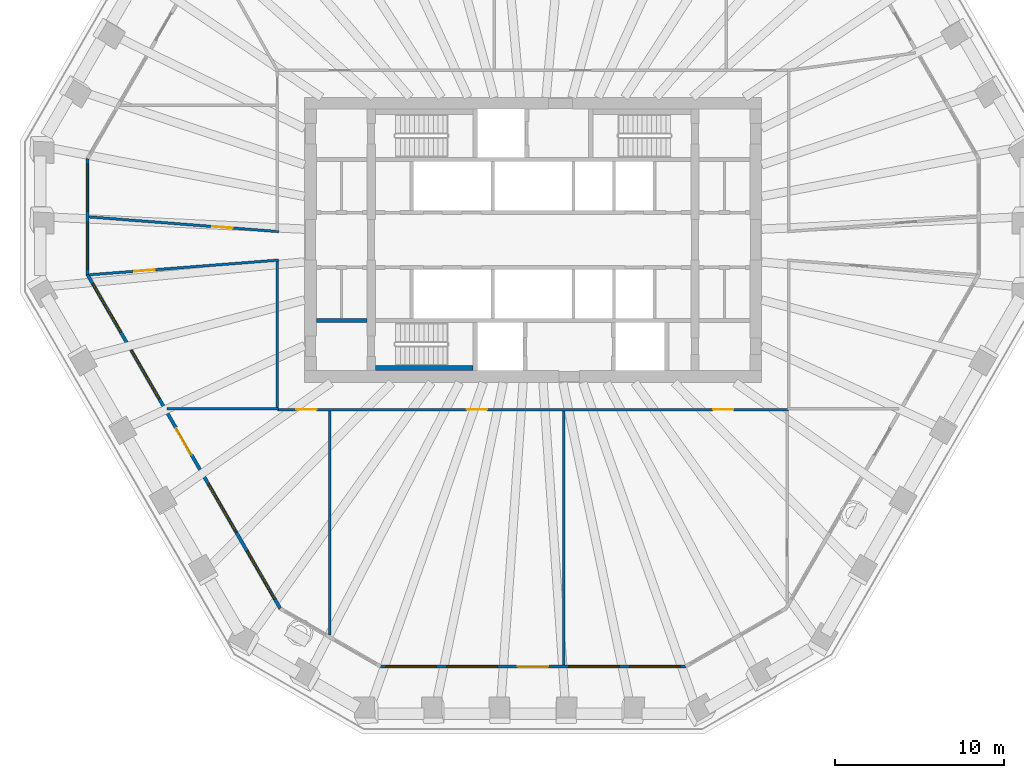
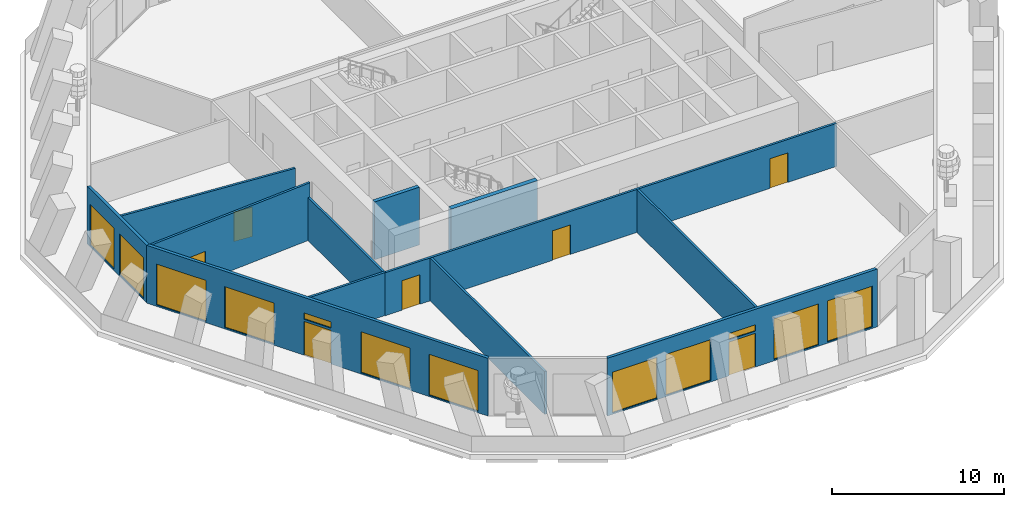
# One storey, part 3 of 11: 12 walls, 12 windows, 7 doors, 19 openings.
"""IFC4 building model written with IfcOpenShell, lengths in metres."""

from ifc_helpers import new_model, si_unit, direction, frame, frame_2d, origin, place, context, subcontext, project, spatial, polyline, rectangle, outline, extrude, material, layer, layer_set, type_object, element, fill, save


model = new_model("IFC4")

# Units and contexts
model_context = context("Model", 3, precision=1e-05, world=origin(), true_north=direction((0.0, 1.0)))
body_context = subcontext(model_context, "Body", "Model", "MODEL_VIEW")
ifc_project = project(units=[si_unit("LENGTHUNIT", "METRE"), si_unit("AREAUNIT", "SQUARE_METRE"), si_unit("VOLUMEUNIT", "CUBIC_METRE"), si_unit("PLANEANGLEUNIT", "RADIAN"), si_unit("MASSUNIT", "GRAM", prefix="KILO")], contexts=[model_context])

# Site, building, storey
site_placement = place(None, origin())
site = spatial("IfcSite", under=ifc_project, at=site_placement, CompositionType="ELEMENT")
building_placement = place(site_placement, origin())
building = spatial("IfcBuilding", under=site, at=building_placement, Name="Frailejon Research Tower", CompositionType="ELEMENT")
storey_placement = place(building_placement, frame((0.0, 0.0, 198.0)))
storey = spatial("IfcBuildingStorey", under=building, at=storey_placement, Name="L43", CompositionType="ELEMENT", Elevation=198.0)

# Wall
ifc_material_1 = material(Name="Gypsum board and masonry partition", Category="masonry")
ifc_layer_1 = layer(ifc_material_1, 0.14990234375)
ifc_layer_set_1 = layer_set([ifc_layer_1], Name="Corridor wall EI 60, gypsum on steel studs 150")
wall_type_1 = type_object("IfcWallType", Name="Corridor wall EI 60, gypsum on steel studs 150", PredefinedType="PARTITIONING", material=ifc_layer_set_1)
wall_1_placement = place(storey_placement, frame((-15.14990234375, -9.94140625, 0.0), z_axis=(0.0, 0.0, 1.0), x_axis=(0.0, 1.0, 0.0)))
element("IfcWall", 1, at=wall_1_placement, inside=storey, type_object=wall_type_1, Name="T:IW:L43:004", PredefinedType="PARTITIONING", context=body_context, shape_type="SweptSolid", body=[
    extrude(rectangle(XDim=8.6669921875, YDim=0.14990234375, at=frame_2d((4.33349609375, 0.0))), origin(), (0.0, 0.0, 1.0), 3.050048828125),
])

# Wall, openings, doors
wall_2_placement = place(storey_placement, frame((-15.14990234375, -10.050048828125, 0.0), z_axis=(0.0, 0.0, 1.0), x_axis=(1.0, 0.0, 0.0)))
wall_2 = element("IfcWall", 2, at=wall_2_placement, inside=storey, type_object=wall_type_1, Name="T:IW:L43:006", PredefinedType="PARTITIONING", context=body_context, shape_type="SweptSolid", body=[
    extrude(rectangle(XDim=30.2998046875, YDim=0.14990234375, at=frame_2d((15.14990234375, 0.0))), origin(), (0.0, 0.0, 1.0), 3.050048828125),
])
opening_1_placement = place(wall_2_placement, frame((1.124755859375, 0.0, 0.0)))
opening_1 = element("IfcOpeningElement", 3, at=opening_1_placement, cuts=wall_2, Name="Opening D1930", PredefinedType="OPENING", context=body_context, shape_type="SweptSolid", body=[
    extrude(rectangle(XDim=1.199951171875, YDim=2.10009765625, at=frame_2d((0.60009765625, 1.050048828125))), frame((0.0, 0.0849609375, 0.0), z_axis=(0.0, -1.0, 0.0), x_axis=(1.0, 0.0, 0.0)), (0.0, 0.0, 1.0), 0.169921875),
])
opening_2_placement = place(wall_2_placement, frame((11.22216796875, 0.0, 0.0)))
opening_2 = element("IfcOpeningElement", 4, at=opening_2_placement, cuts=wall_2, Name="Opening D1931", PredefinedType="OPENING", context=body_context, shape_type="SweptSolid", body=[
    extrude(rectangle(XDim=1.199951171875, YDim=2.10009765625, at=frame_2d((0.60009765625, 1.050048828125))), frame((0.0, 0.0849609375, 0.0), z_axis=(0.0, -1.0, 0.0), x_axis=(1.0, 0.0, 0.0)), (0.0, 0.0, 1.0), 0.169921875),
])
opening_3_placement = place(wall_2_placement, frame((25.821533203125, 0.0, 0.0)))
opening_3 = element("IfcOpeningElement", 5, at=opening_3_placement, cuts=wall_2, Name="Opening D1932", PredefinedType="OPENING", context=body_context, shape_type="SweptSolid", body=[
    extrude(rectangle(XDim=1.199951171875, YDim=2.10009765625, at=frame_2d((0.60009765625, 1.050048828125))), frame((0.0, 0.0849609375, 0.0), z_axis=(0.0, -1.0, 0.0), x_axis=(1.0, 0.0, 0.0)), (0.0, 0.0, 1.0), 0.169921875),
])
ifc_material_2 = material(Name="Timber door leaf", Category="wood")
door_type_1 = type_object("IfcDoorType", Name="Door laboratory, timber, vision panel 1200", OperationType="NOTDEFINED", PredefinedType="DOOR", material=ifc_material_2)
door_1_placement = place(opening_1_placement, origin())
door_1 = element("IfcDoor", 6, at=door_1_placement, inside=storey, type_object=door_type_1, Name="D1930", OperationType="DOUBLE_DOOR_SINGLE_SWING", OverallHeight=2.10009765625, OverallWidth=1.199951171875, PredefinedType="DOOR", context=body_context, shape_type="SweptSolid", body=[
    extrude(rectangle(XDim=1.199951171875, YDim=2.10009765625, at=frame_2d((0.60009765625, 1.050048828125))), frame((0.0, 0.02490234375, 0.0), z_axis=(0.0, -1.0, 0.0), x_axis=(1.0, 0.0, 0.0)), (0.0, 0.0, 1.0), 0.050048828125),
])
fill(opening_1, door_1)
door_2_placement = place(opening_2_placement, origin())
door_2 = element("IfcDoor", 7, at=door_2_placement, inside=storey, type_object=door_type_1, Name="D1931", OperationType="DOUBLE_DOOR_SINGLE_SWING", OverallHeight=2.10009765625, OverallWidth=1.199951171875, PredefinedType="DOOR", context=body_context, shape_type="SweptSolid", body=[
    extrude(rectangle(XDim=1.199951171875, YDim=2.10009765625, at=frame_2d((0.60009765625, 1.050048828125))), frame((0.0, 0.02490234375, 0.0), z_axis=(0.0, -1.0, 0.0), x_axis=(1.0, 0.0, 0.0)), (0.0, 0.0, 1.0), 0.050048828125),
])
fill(opening_2, door_2)
door_3_placement = place(opening_3_placement, origin())
door_3 = element("IfcDoor", 8, at=door_3_placement, inside=storey, type_object=door_type_1, Name="D1932", OperationType="DOUBLE_DOOR_SINGLE_SWING", OverallHeight=2.10009765625, OverallWidth=1.199951171875, PredefinedType="DOOR", context=body_context, shape_type="SweptSolid", body=[
    extrude(rectangle(XDim=1.199951171875, YDim=2.10009765625, at=frame_2d((0.60009765625, 1.050048828125))), frame((0.0, 0.02490234375, 0.0), z_axis=(0.0, -1.0, 0.0), x_axis=(1.0, 0.0, 0.0)), (0.0, 0.0, 1.0), 0.050048828125),
])
fill(opening_3, door_3)

# Wall, opening, door
wall_3_placement = place(storey_placement, frame((-26.31103515625, 1.3671875, 0.0), z_axis=(0.0, 0.0, 1.0), x_axis=(0.996999820834, -0.077403858151, 0.0)))
wall_3 = element("IfcWall", 9, at=wall_3_placement, inside=storey, type_object=wall_type_1, Name="T:IW:L43:007", PredefinedType="PARTITIONING", context=body_context, shape_type="SweptSolid", body=[
    extrude(rectangle(XDim=11.26953125, YDim=0.14990234375, at=frame_2d((5.634765625, 0.0))), origin(), (0.0, 0.0, 1.0), 4.050048828125),
])
opening_4_placement = place(wall_3_placement, frame((7.321044921875, 0.0, 0.0)))
opening_4 = element("IfcOpeningElement", 10, at=opening_4_placement, cuts=wall_3, Name="Opening D1928", PredefinedType="OPENING", context=body_context, shape_type="SweptSolid", body=[
    extrude(rectangle(XDim=1.199951171875, YDim=2.10009765625, at=frame_2d((0.60009765625, 1.050048828125))), frame((0.0, 0.0849609375, 0.0), z_axis=(0.0, -1.0, 0.0), x_axis=(1.0, 0.0, 0.0)), (0.0, 0.0, 1.0), 0.169921875),
])
door_4_placement = place(opening_4_placement, origin())
door_4 = element("IfcDoor", 11, at=door_4_placement, inside=storey, type_object=door_type_1, Name="D1928", OperationType="DOUBLE_DOOR_SINGLE_SWING", OverallHeight=2.10009765625, OverallWidth=1.199951171875, PredefinedType="DOOR", context=body_context, shape_type="SweptSolid", body=[
    extrude(rectangle(XDim=1.199951171875, YDim=2.10009765625, at=frame_2d((0.60009765625, 1.050048828125))), frame((0.0, 0.02490234375, 0.0), z_axis=(0.0, -1.0, 0.0), x_axis=(1.0, 0.0, 0.0)), (0.0, 0.0, 1.0), 0.050048828125),
])
fill(opening_4, door_4)

wall_4_placement = place(storey_placement, frame((-26.2900390625, -2.064208984375, 0.0), z_axis=(0.0, 0.0, 1.0), x_axis=(0.997000362213, 0.077396884614, 0.0)))
wall_4 = element("IfcWall", 12, at=wall_4_placement, inside=storey, type_object=wall_type_1, Name="T:IW:L43:008", PredefinedType="PARTITIONING", context=body_context, shape_type="SweptSolid", body=[
    extrude(rectangle(XDim=11.24853515625, YDim=0.14990234375, at=frame_2d((5.624267578125, 0.0))), origin(), (0.0, 0.0, 1.0), 4.050048828125),
])
opening_5_placement = place(wall_4_placement, frame((2.66845703125, 0.0, 0.0)))
opening_5 = element("IfcOpeningElement", 13, at=opening_5_placement, cuts=wall_4, Name="Opening D1929", PredefinedType="OPENING", context=body_context, shape_type="SweptSolid", body=[
    extrude(rectangle(XDim=1.199951171875, YDim=2.10009765625, at=frame_2d((0.60009765625, 1.050048828125))), frame((0.0, 0.0849609375, 0.0), z_axis=(0.0, -1.0, 0.0), x_axis=(1.0, 0.0, 0.0)), (0.0, 0.0, 1.0), 0.169921875),
])
door_5_placement = place(opening_5_placement, origin())
door_5 = element("IfcDoor", 14, at=door_5_placement, inside=storey, type_object=door_type_1, Name="D1929", OperationType="DOUBLE_DOOR_SINGLE_SWING", OverallHeight=2.10009765625, OverallWidth=1.199951171875, PredefinedType="DOOR", context=body_context, shape_type="SweptSolid", body=[
    extrude(rectangle(XDim=1.199951171875, YDim=2.10009765625, at=frame_2d((0.60009765625, 1.050048828125))), frame((0.0, 0.02490234375, 0.0), z_axis=(0.0, -1.0, 0.0), x_axis=(1.0, 0.0, 0.0)), (0.0, 0.0, 1.0), 0.050048828125),
])
fill(opening_5, door_5)

# Walls
ifc_material_3 = material(Name="Gypsum board and masonry partition", Category="masonry")
ifc_layer_2 = layer(ifc_material_3, 0.14990234375)
ifc_layer_set_2 = layer_set([ifc_layer_2], Name="Laboratory partition, blockwork 150")
wall_type_2 = type_object("IfcWallType", Name="Laboratory partition, blockwork 150", PredefinedType="PARTITIONING", material=ifc_layer_set_2)
wall_5_placement = place(storey_placement, frame((-21.698974609375, -10.016357421875, 0.0), z_axis=(0.0, 0.0, 1.0), x_axis=(1.0, 0.0, 0.0)))
element("IfcWall", 15, at=wall_5_placement, inside=storey, type_object=wall_type_2, Name="T:IW:L43:016", PredefinedType="PARTITIONING", context=body_context, shape_type="SweptSolid", body=[
    extrude(rectangle(XDim=6.6240234375, YDim=0.14990234375, at=frame_2d((3.31201171875, 0.0))), origin(), (0.0, 0.0, 1.0), 3.050048828125),
])
wall_6_placement = place(storey_placement, frame((-12.05810546875, -23.419921875, 0.0), z_axis=(0.0, 0.0, 1.0), x_axis=(0.0, 1.0, 0.0)))
element("IfcWall", 16, at=wall_6_placement, inside=storey, type_object=wall_type_2, Name="T:IW:L43:018", PredefinedType="PARTITIONING", context=body_context, shape_type="SweptSolid", body=[
    extrude(rectangle(XDim=13.294921875, YDim=0.14990234375, at=frame_2d((6.6474609375, 0.0))), origin(), (0.0, 0.0, 1.0), 3.050048828125),
])
wall_7_placement = place(storey_placement, frame((1.8115234375, -25.182861328125, 0.0), z_axis=(0.0, 0.0, 1.0), x_axis=(0.0, 1.0, 0.0)))
element("IfcWall", 17, at=wall_7_placement, inside=storey, type_object=wall_type_2, Name="T:IW:L43:019", PredefinedType="PARTITIONING", context=body_context, shape_type="SweptSolid", body=[
    extrude(rectangle(XDim=15.057861328125, YDim=0.14990234375, at=frame_2d((7.52880859375, 0.0))), origin(), (0.0, 0.0, 1.0), 3.050048828125),
])
ifc_material_4 = material(Name="Concrete C60/75", Category="concrete")
ifc_layer_3 = layer(ifc_material_4, 0.25)
ifc_layer_set_3 = layer_set([ifc_layer_3], Name="Shaft wall 250 C60/75")
wall_type_3 = type_object("IfcWallType", Name="Shaft wall 250 C60/75", PredefinedType="SOLIDWALL", material=ifc_layer_set_3)
wall_8_placement = place(storey_placement, frame((-12.85009765625, -4.77490234375, 0.0), z_axis=(0.0, 0.0, 1.0), x_axis=(1.0, 0.0, 0.0)))
element("IfcWall", 18, at=wall_8_placement, inside=storey, type_object=wall_type_3, Name="Shaft wall", PredefinedType="SOLIDWALL", context=body_context, shape_type="SweptSolid", body=[
    extrude(rectangle(XDim=3.0, YDim=0.25, at=frame_2d((1.5, 0.0))), origin(), (0.0, 0.0, 1.0), 4.10009765625),
])
ifc_material_5 = material(Name="Concrete C60/75", Category="concrete")
ifc_layer_4 = layer(ifc_material_5, 0.300048828125)
ifc_layer_set_4 = layer_set([ifc_layer_4], Name="Shaft wall 300 C60/75")
wall_type_4 = type_object("IfcWallType", Name="Shaft wall 300 C60/75", PredefinedType="SOLIDWALL", material=ifc_layer_set_4)
wall_9_placement = place(storey_placement, frame((-9.35009765625, -7.60009765625, 0.0), z_axis=(0.0, 0.0, 1.0), x_axis=(1.0, 0.0, 0.0)))
element("IfcWall", 19, at=wall_9_placement, inside=storey, type_object=wall_type_4, Name="Shaft wall", PredefinedType="SOLIDWALL", context=body_context, shape_type="SweptSolid", body=[
    extrude(rectangle(XDim=5.800048828125, YDim=0.300048828125, at=frame_2d((2.89990234375, 0.0))), origin(), (0.0, 0.0, 1.0), 4.10009765625),
])

# Wall, openings, windows
ifc_material_6 = material(Name="Concrete C40/50 precast window wall panel", Category="concrete")
ifc_layer_5 = layer(ifc_material_6, 0.199951171875)
ifc_layer_set_5 = layer_set([ifc_layer_5], Name="Window wall 200")
wall_type_5 = type_object("IfcWallType", Name="Window wall 200", PredefinedType="SOLIDWALL", material=ifc_layer_set_5)
wall_10_placement = place(storey_placement, frame((-26.4111328125, 4.820068359375, 0.0), z_axis=(0.0, 0.0, 1.0), x_axis=(0.0, -1.0, 0.0)))
wall_10 = element("IfcWall", 20, at=wall_10_placement, inside=storey, type_object=wall_type_5, Name="Exterior wall L43", PredefinedType="SOLIDWALL", context=body_context, shape_type="SweptSolid", body=[
    extrude(outline(polyline([(-0.02685546875, -0.10009765625), (1.1279296875, -0.10009765625), (2.28271484375, -0.10009765625), (3.4375, -0.10009765625), (4.592041015625, -0.10009765625), (5.746826171875, -0.10009765625), (6.901611328125, -0.10009765625), (6.847900390625, 0.10009765625), (5.7109375, 0.10009765625), (4.57421875, 0.10009765625), (3.4375, 0.10009765625), (2.300537109375, 0.10009765625), (1.16357421875, 0.10009765625), (0.02685546875, 0.10009765625), (-0.02685546875, -0.10009765625)])), origin(), (0.0, 0.0, 1.0), 4.10009765625),
])
opening_6_placement = place(wall_10_placement, frame((0.318603515625, 0.0, 0.10009765625)))
opening_6 = element("IfcOpeningElement", 21, at=opening_6_placement, cuts=wall_10, Name="Opening W3", PredefinedType="OPENING", context=body_context, shape_type="SweptSolid", body=[
    extrude(rectangle(XDim=2.800048828125, YDim=2.89990234375, at=frame_2d((1.39990234375, 1.449951171875))), frame((0.0, 0.10986328125, 0.0), z_axis=(0.0, -1.0, 0.0), x_axis=(1.0, 0.0, 0.0)), (0.0, 0.0, 1.0), 0.219970703125),
])
opening_7_placement = place(wall_10_placement, frame((3.756103515625, 0.0, 0.10009765625)))
opening_7 = element("IfcOpeningElement", 22, at=opening_7_placement, cuts=wall_10, Name="Opening W3", PredefinedType="OPENING", context=body_context, shape_type="SweptSolid", body=[
    extrude(rectangle(XDim=2.800048828125, YDim=2.89990234375, at=frame_2d((1.39990234375, 1.449951171875))), frame((0.0, 0.10986328125, 0.0), z_axis=(0.0, -1.0, 0.0), x_axis=(1.0, 0.0, 0.0)), (0.0, 0.0, 1.0), 0.219970703125),
])
ifc_material_7 = material(Name="Aluminium framed double glazing", Category="aluminium")
window_type_1 = type_object("IfcWindowType", Name="Window 2800x2900", PartitioningType="SINGLE_PANEL", PredefinedType="WINDOW", material=ifc_material_7)
window_1_placement = place(opening_6_placement, origin())
window_1 = element("IfcWindow", 23, at=window_1_placement, inside=storey, type_object=window_type_1, Name="Window L43", OverallHeight=2.89990234375, OverallWidth=2.800048828125, PartitioningType="SINGLE_PANEL", PredefinedType="WINDOW", context=body_context, shape_type="SweptSolid", body=[
    extrude(rectangle(XDim=2.800048828125, YDim=2.89990234375, at=frame_2d((1.39990234375, 1.449951171875))), frame((0.0, 0.030029296875, 0.0), z_axis=(0.0, -1.0, 0.0), x_axis=(1.0, 0.0, 0.0)), (0.0, 0.0, 1.0), 0.06005859375),
])
fill(opening_6, window_1)
window_2_placement = place(opening_7_placement, origin())
window_2 = element("IfcWindow", 24, at=window_2_placement, inside=storey, type_object=window_type_1, Name="Window L43", OverallHeight=2.89990234375, OverallWidth=2.800048828125, PartitioningType="SINGLE_PANEL", PredefinedType="WINDOW", context=body_context, shape_type="SweptSolid", body=[
    extrude(rectangle(XDim=2.800048828125, YDim=2.89990234375, at=frame_2d((1.39990234375, 1.449951171875))), frame((0.0, 0.030029296875, 0.0), z_axis=(0.0, -1.0, 0.0), x_axis=(1.0, 0.0, 0.0)), (0.0, 0.0, 1.0), 0.06005859375),
])
fill(opening_7, window_2)

# Wall, openings, door, windows
wall_11_placement = place(storey_placement, frame((-26.4111328125, -2.0546875, 0.0), z_axis=(0.0, 0.0, 1.0), x_axis=(0.50000204422, -0.86602422355, 0.0)))
wall_11 = element("IfcWall", 25, at=wall_11_placement, inside=storey, type_object=wall_type_5, Name="Exterior wall L43", PredefinedType="SOLIDWALL", context=body_context, shape_type="SweptSolid", body=[
    extrude(outline(polyline([(-0.02685546875, -0.10009765625), (1.014404296875, -0.10009765625), (2.055419921875, -0.10009765625), (3.0966796875, -0.10009765625), (4.137939453125, -0.10009765625), (5.17919921875, -0.10009765625), (6.22021484375, -0.10009765625), (7.261474609375, -0.10009765625), (8.302734375, -0.10009765625), (9.343994140625, -0.10009765625), (10.385009765625, -0.10009765625), (11.42626953125, -0.10009765625), (12.467529296875, -0.10009765625), (13.508544921875, -0.10009765625), (14.5498046875, -0.10009765625), (15.591064453125, -0.10009765625), (16.63232421875, -0.10009765625), (17.67333984375, -0.10009765625), (18.714599609375, -0.10009765625), (19.755859375, -0.10009765625), (20.797119140625, -0.10009765625), (21.838134765625, -0.10009765625), (22.87939453125, -0.10009765625), (22.82568359375, 0.10009765625), (21.789306640625, 0.10009765625), (20.753173828125, 0.10009765625), (19.716796875, 0.10009765625), (18.680419921875, 0.10009765625), (17.64404296875, 0.10009765625), (16.60791015625, 0.10009765625), (15.571533203125, 0.10009765625), (14.53515625, 0.10009765625), (13.498779296875, 0.10009765625), (12.462646484375, 0.10009765625), (11.42626953125, 0.10009765625), (10.389892578125, 0.10009765625), (9.353759765625, 0.10009765625), (8.3173828125, 0.10009765625), (7.281005859375, 0.10009765625), (6.24462890625, 0.10009765625), (5.20849609375, 0.10009765625), (4.172119140625, 0.10009765625), (3.1357421875, 0.10009765625), (2.099365234375, 0.10009765625), (1.063232421875, 0.10009765625), (0.02685546875, 0.10009765625), (-0.02685546875, -0.10009765625)])), origin(), (0.0, 0.0, 1.0), 4.10009765625),
])
opening_8_placement = place(wall_11_placement, frame((0.63525390625, 0.0, 0.10009765625)))
opening_8 = element("IfcOpeningElement", 26, at=opening_8_placement, cuts=wall_11, Name="Opening W5", PredefinedType="OPENING", context=body_context, shape_type="SweptSolid", body=[
    extrude(rectangle(XDim=3.300048828125, YDim=2.89990234375, at=frame_2d((1.64990234375, 1.449951171875))), frame((0.0, 0.10986328125, 0.0), z_axis=(0.0, -1.0, 0.0), x_axis=(1.0, 0.0, 0.0)), (0.0, 0.0, 1.0), 0.219970703125),
])
opening_9_placement = place(wall_11_placement, frame((5.205810546875, 0.0, 0.10009765625)))
opening_9 = element("IfcOpeningElement", 27, at=opening_9_placement, cuts=wall_11, Name="Opening W5", PredefinedType="OPENING", context=body_context, shape_type="SweptSolid", body=[
    extrude(rectangle(XDim=3.300048828125, YDim=2.89990234375, at=frame_2d((1.64990234375, 1.449951171875))), frame((0.0, 0.10986328125, 0.0), z_axis=(0.0, -1.0, 0.0), x_axis=(1.0, 0.0, 0.0)), (0.0, 0.0, 1.0), 0.219970703125),
])
opening_10_placement = place(wall_11_placement, frame((10.5263671875, 0.0, 0.0)))
opening_10 = element("IfcOpeningElement", 28, at=opening_10_placement, cuts=wall_11, Name="Opening LG43-4", PredefinedType="OPENING", context=body_context, shape_type="SweptSolid", body=[
    extrude(rectangle(XDim=1.800048828125, YDim=2.39990234375, at=frame_2d((0.89990234375, 1.199951171875))), frame((0.0, 0.10986328125, 0.0), z_axis=(0.0, -1.0, 0.0), x_axis=(1.0, 0.0, 0.0)), (0.0, 0.0, 1.0), 0.219970703125),
])
opening_11_placement = place(wall_11_placement, frame((10.5263671875, 0.0, 2.550048828125)))
opening_11 = element("IfcOpeningElement", 29, at=opening_11_placement, cuts=wall_11, Name="Opening W1", PredefinedType="OPENING", context=body_context, shape_type="SweptSolid", body=[
    extrude(rectangle(XDim=1.800048828125, YDim=0.449951171875, at=frame_2d((0.89990234375, 0.22509765625))), frame((0.0, 0.10986328125, 0.0), z_axis=(0.0, -1.0, 0.0), x_axis=(1.0, 0.0, 0.0)), (0.0, 0.0, 1.0), 0.219970703125),
])
opening_12_placement = place(wall_11_placement, frame((14.3466796875, 0.0, 0.10009765625)))
opening_12 = element("IfcOpeningElement", 30, at=opening_12_placement, cuts=wall_11, Name="Opening W5", PredefinedType="OPENING", context=body_context, shape_type="SweptSolid", body=[
    extrude(rectangle(XDim=3.300048828125, YDim=2.89990234375, at=frame_2d((1.64990234375, 1.449951171875))), frame((0.0, 0.10986328125, 0.0), z_axis=(0.0, -1.0, 0.0), x_axis=(1.0, 0.0, 0.0)), (0.0, 0.0, 1.0), 0.219970703125),
])
opening_13_placement = place(wall_11_placement, frame((18.917236328125, 0.0, 0.10009765625)))
opening_13 = element("IfcOpeningElement", 31, at=opening_13_placement, cuts=wall_11, Name="Opening W5", PredefinedType="OPENING", context=body_context, shape_type="SweptSolid", body=[
    extrude(rectangle(XDim=3.300048828125, YDim=2.89990234375, at=frame_2d((1.64990234375, 1.449951171875))), frame((0.0, 0.10986328125, 0.0), z_axis=(0.0, -1.0, 0.0), x_axis=(1.0, 0.0, 0.0)), (0.0, 0.0, 1.0), 0.219970703125),
])
ifc_material_8 = material(Name="Aluminium framed glazed door leaf", Category="aluminium")
door_type_2 = type_object("IfcDoorType", Name="Loggia door 1800x2400", OperationType="DOUBLE_DOOR_SINGLE_SWING", PredefinedType="DOOR", material=ifc_material_8)
door_6_placement = place(opening_10_placement, origin())
door_6 = element("IfcDoor", 32, at=door_6_placement, inside=storey, type_object=door_type_2, Name="Door LG43-4", OperationType="DOUBLE_DOOR_SINGLE_SWING", OverallHeight=2.39990234375, OverallWidth=1.800048828125, PredefinedType="DOOR", context=body_context, shape_type="SweptSolid", body=[
    extrude(rectangle(XDim=1.800048828125, YDim=2.39990234375, at=frame_2d((0.89990234375, 1.199951171875))), frame((0.0, 0.02490234375, 0.0), z_axis=(0.0, -1.0, 0.0), x_axis=(1.0, 0.0, 0.0)), (0.0, 0.0, 1.0), 0.050048828125),
])
fill(opening_10, door_6)
ifc_material_9 = material(Name="Aluminium framed double glazing", Category="aluminium")
window_type_2 = type_object("IfcWindowType", Name="Window 1800x450", PartitioningType="SINGLE_PANEL", PredefinedType="WINDOW", material=ifc_material_9)
window_3_placement = place(opening_11_placement, origin())
window_3 = element("IfcWindow", 33, at=window_3_placement, inside=storey, type_object=window_type_2, Name="Window L43", OverallHeight=0.449951171875, OverallWidth=1.800048828125, PartitioningType="SINGLE_PANEL", PredefinedType="WINDOW", context=body_context, shape_type="SweptSolid", body=[
    extrude(rectangle(XDim=1.800048828125, YDim=0.449951171875, at=frame_2d((0.89990234375, 0.22509765625))), frame((0.0, 0.030029296875, 0.0), z_axis=(0.0, -1.0, 0.0), x_axis=(1.0, 0.0, 0.0)), (0.0, 0.0, 1.0), 0.06005859375),
])
fill(opening_11, window_3)
ifc_material_10 = material(Name="Aluminium framed double glazing", Category="aluminium")
window_type_3 = type_object("IfcWindowType", Name="Window 3300x2900", PartitioningType="SINGLE_PANEL", PredefinedType="WINDOW", material=ifc_material_10)
window_4_placement = place(opening_8_placement, origin())
window_4 = element("IfcWindow", 34, at=window_4_placement, inside=storey, type_object=window_type_3, Name="Window L43", OverallHeight=2.89990234375, OverallWidth=3.300048828125, PartitioningType="SINGLE_PANEL", PredefinedType="WINDOW", context=body_context, shape_type="SweptSolid", body=[
    extrude(rectangle(XDim=3.300048828125, YDim=2.89990234375, at=frame_2d((1.64990234375, 1.449951171875))), frame((0.0, 0.030029296875, 0.0), z_axis=(0.0, -1.0, 0.0), x_axis=(1.0, 0.0, 0.0)), (0.0, 0.0, 1.0), 0.06005859375),
])
fill(opening_8, window_4)
window_5_placement = place(opening_9_placement, origin())
window_5 = element("IfcWindow", 35, at=window_5_placement, inside=storey, type_object=window_type_3, Name="Window L43", OverallHeight=2.89990234375, OverallWidth=3.300048828125, PartitioningType="SINGLE_PANEL", PredefinedType="WINDOW", context=body_context, shape_type="SweptSolid", body=[
    extrude(rectangle(XDim=3.300048828125, YDim=2.89990234375, at=frame_2d((1.64990234375, 1.449951171875))), frame((0.0, 0.030029296875, 0.0), z_axis=(0.0, -1.0, 0.0), x_axis=(1.0, 0.0, 0.0)), (0.0, 0.0, 1.0), 0.06005859375),
])
fill(opening_9, window_5)
window_6_placement = place(opening_12_placement, origin())
window_6 = element("IfcWindow", 36, at=window_6_placement, inside=storey, type_object=window_type_3, Name="Window L43", OverallHeight=2.89990234375, OverallWidth=3.300048828125, PartitioningType="SINGLE_PANEL", PredefinedType="WINDOW", context=body_context, shape_type="SweptSolid", body=[
    extrude(rectangle(XDim=3.300048828125, YDim=2.89990234375, at=frame_2d((1.64990234375, 1.449951171875))), frame((0.0, 0.030029296875, 0.0), z_axis=(0.0, -1.0, 0.0), x_axis=(1.0, 0.0, 0.0)), (0.0, 0.0, 1.0), 0.06005859375),
])
fill(opening_12, window_6)
window_7_placement = place(opening_13_placement, origin())
window_7 = element("IfcWindow", 37, at=window_7_placement, inside=storey, type_object=window_type_3, Name="Window L43", OverallHeight=2.89990234375, OverallWidth=3.300048828125, PartitioningType="SINGLE_PANEL", PredefinedType="WINDOW", context=body_context, shape_type="SweptSolid", body=[
    extrude(rectangle(XDim=3.300048828125, YDim=2.89990234375, at=frame_2d((1.64990234375, 1.449951171875))), frame((0.0, 0.030029296875, 0.0), z_axis=(0.0, -1.0, 0.0), x_axis=(1.0, 0.0, 0.0)), (0.0, 0.0, 1.0), 0.06005859375),
])
fill(opening_13, window_7)

wall_12_placement = place(storey_placement, frame((-9.03125, -25.28271484375, 0.0), z_axis=(0.0, 0.0, 1.0), x_axis=(1.0, 0.0, 0.0)))
wall_12 = element("IfcWall", 38, at=wall_12_placement, inside=storey, type_object=wall_type_5, Name="Exterior wall L43", PredefinedType="SOLIDWALL", context=body_context, shape_type="SweptSolid", body=[
    extrude(outline(polyline([(-0.02685546875, -0.10009765625), (0.9794921875, -0.10009765625), (1.986083984375, -0.10009765625), (2.992431640625, -0.10009765625), (3.9990234375, -0.10009765625), (5.00537109375, -0.10009765625), (6.011962890625, -0.10009765625), (7.018310546875, -0.10009765625), (8.02490234375, -0.10009765625), (9.03125, -0.10009765625), (10.03759765625, -0.10009765625), (11.044189453125, -0.10009765625), (12.050537109375, -0.10009765625), (13.05712890625, -0.10009765625), (14.0634765625, -0.10009765625), (15.070068359375, -0.10009765625), (16.076416015625, -0.10009765625), (17.0830078125, -0.10009765625), (18.08935546875, -0.10009765625), (18.03564453125, 0.10009765625), (17.03515625, 0.10009765625), (16.03466796875, 0.10009765625), (15.0341796875, 0.10009765625), (14.03369140625, 0.10009765625), (13.033203125, 0.10009765625), (12.03271484375, 0.10009765625), (11.0322265625, 0.10009765625), (10.03173828125, 0.10009765625), (9.03125, 0.10009765625), (8.03076171875, 0.10009765625), (7.0302734375, 0.10009765625), (6.02978515625, 0.10009765625), (5.029296875, 0.10009765625), (4.02880859375, 0.10009765625), (3.0283203125, 0.10009765625), (2.02783203125, 0.10009765625), (1.02734375, 0.10009765625), (0.02685546875, 0.10009765625), (-0.02685546875, -0.10009765625)])), origin(), (0.0, 0.0, 1.0), 4.10009765625),
])
opening_14_placement = place(wall_12_placement, frame((0.306396484375, 0.0, 0.10009765625)))
opening_14 = element("IfcOpeningElement", 39, at=opening_14_placement, cuts=wall_12, Name="Opening W4", PredefinedType="OPENING", context=body_context, shape_type="SweptSolid", body=[
    extrude(rectangle(XDim=3.0, YDim=2.89990234375, at=frame_2d((1.5, 1.449951171875))), frame((0.0, 0.10986328125, 0.0), z_axis=(0.0, -1.0, 0.0), x_axis=(1.0, 0.0, 0.0)), (0.0, 0.0, 1.0), 0.219970703125),
])
opening_15_placement = place(wall_12_placement, frame((3.918701171875, 0.0, 0.10009765625)))
opening_15 = element("IfcOpeningElement", 40, at=opening_15_placement, cuts=wall_12, Name="Opening W4", PredefinedType="OPENING", context=body_context, shape_type="SweptSolid", body=[
    extrude(rectangle(XDim=3.0, YDim=2.89990234375, at=frame_2d((1.5, 1.449951171875))), frame((0.0, 0.10986328125, 0.0), z_axis=(0.0, -1.0, 0.0), x_axis=(1.0, 0.0, 0.0)), (0.0, 0.0, 1.0), 0.219970703125),
])
opening_16_placement = place(wall_12_placement, frame((8.13134765625, 0.0, 0.0)))
opening_16 = element("IfcOpeningElement", 41, at=opening_16_placement, cuts=wall_12, Name="Opening LG43-5", PredefinedType="OPENING", context=body_context, shape_type="SweptSolid", body=[
    extrude(rectangle(XDim=1.800048828125, YDim=2.39990234375, at=frame_2d((0.89990234375, 1.199951171875))), frame((0.0, 0.10986328125, 0.0), z_axis=(0.0, -1.0, 0.0), x_axis=(1.0, 0.0, 0.0)), (0.0, 0.0, 1.0), 0.219970703125),
])
opening_17_placement = place(wall_12_placement, frame((8.13134765625, 0.0, 2.550048828125)))
opening_17 = element("IfcOpeningElement", 42, at=opening_17_placement, cuts=wall_12, Name="Opening W1", PredefinedType="OPENING", context=body_context, shape_type="SweptSolid", body=[
    extrude(rectangle(XDim=1.800048828125, YDim=0.449951171875, at=frame_2d((0.89990234375, 0.22509765625))), frame((0.0, 0.10986328125, 0.0), z_axis=(0.0, -1.0, 0.0), x_axis=(1.0, 0.0, 0.0)), (0.0, 0.0, 1.0), 0.219970703125),
])
opening_18_placement = place(wall_12_placement, frame((11.143798828125, 0.0, 0.10009765625)))
opening_18 = element("IfcOpeningElement", 43, at=opening_18_placement, cuts=wall_12, Name="Opening W4", PredefinedType="OPENING", context=body_context, shape_type="SweptSolid", body=[
    extrude(rectangle(XDim=3.0, YDim=2.89990234375, at=frame_2d((1.5, 1.449951171875))), frame((0.0, 0.10986328125, 0.0), z_axis=(0.0, -1.0, 0.0), x_axis=(1.0, 0.0, 0.0)), (0.0, 0.0, 1.0), 0.219970703125),
])
opening_19_placement = place(wall_12_placement, frame((14.75634765625, 0.0, 0.10009765625)))
opening_19 = element("IfcOpeningElement", 44, at=opening_19_placement, cuts=wall_12, Name="Opening W4", PredefinedType="OPENING", context=body_context, shape_type="SweptSolid", body=[
    extrude(rectangle(XDim=3.0, YDim=2.89990234375, at=frame_2d((1.5, 1.449951171875))), frame((0.0, 0.10986328125, 0.0), z_axis=(0.0, -1.0, 0.0), x_axis=(1.0, 0.0, 0.0)), (0.0, 0.0, 1.0), 0.219970703125),
])
door_7_placement = place(opening_16_placement, origin())
door_7 = element("IfcDoor", 45, at=door_7_placement, inside=storey, type_object=door_type_2, Name="Door LG43-5", OperationType="DOUBLE_DOOR_SINGLE_SWING", OverallHeight=2.39990234375, OverallWidth=1.800048828125, PredefinedType="DOOR", context=body_context, shape_type="SweptSolid", body=[
    extrude(rectangle(XDim=1.800048828125, YDim=2.39990234375, at=frame_2d((0.89990234375, 1.199951171875))), frame((0.0, 0.02490234375, 0.0), z_axis=(0.0, -1.0, 0.0), x_axis=(1.0, 0.0, 0.0)), (0.0, 0.0, 1.0), 0.050048828125),
])
fill(opening_16, door_7)
window_8_placement = place(opening_17_placement, origin())
window_8 = element("IfcWindow", 46, at=window_8_placement, inside=storey, type_object=window_type_2, Name="Window L43", OverallHeight=0.449951171875, OverallWidth=1.800048828125, PartitioningType="SINGLE_PANEL", PredefinedType="WINDOW", context=body_context, shape_type="SweptSolid", body=[
    extrude(rectangle(XDim=1.800048828125, YDim=0.449951171875, at=frame_2d((0.89990234375, 0.22509765625))), frame((0.0, 0.030029296875, 0.0), z_axis=(0.0, -1.0, 0.0), x_axis=(1.0, 0.0, 0.0)), (0.0, 0.0, 1.0), 0.06005859375),
])
fill(opening_17, window_8)
ifc_material_11 = material(Name="Aluminium framed double glazing", Category="aluminium")
window_type_4 = type_object("IfcWindowType", Name="Window 3000x2900", PartitioningType="SINGLE_PANEL", PredefinedType="WINDOW", material=ifc_material_11)
window_9_placement = place(opening_14_placement, origin())
window_9 = element("IfcWindow", 47, at=window_9_placement, inside=storey, type_object=window_type_4, Name="Window L43", OverallHeight=2.89990234375, OverallWidth=3.0, PartitioningType="SINGLE_PANEL", PredefinedType="WINDOW", context=body_context, shape_type="SweptSolid", body=[
    extrude(rectangle(XDim=3.0, YDim=2.89990234375, at=frame_2d((1.5, 1.449951171875))), frame((0.0, 0.030029296875, 0.0), z_axis=(0.0, -1.0, 0.0), x_axis=(1.0, 0.0, 0.0)), (0.0, 0.0, 1.0), 0.06005859375),
])
fill(opening_14, window_9)
window_10_placement = place(opening_15_placement, origin())
window_10 = element("IfcWindow", 48, at=window_10_placement, inside=storey, type_object=window_type_4, Name="Window L43", OverallHeight=2.89990234375, OverallWidth=3.0, PartitioningType="SINGLE_PANEL", PredefinedType="WINDOW", context=body_context, shape_type="SweptSolid", body=[
    extrude(rectangle(XDim=3.0, YDim=2.89990234375, at=frame_2d((1.5, 1.449951171875))), frame((0.0, 0.030029296875, 0.0), z_axis=(0.0, -1.0, 0.0), x_axis=(1.0, 0.0, 0.0)), (0.0, 0.0, 1.0), 0.06005859375),
])
fill(opening_15, window_10)
window_11_placement = place(opening_18_placement, origin())
window_11 = element("IfcWindow", 49, at=window_11_placement, inside=storey, type_object=window_type_4, Name="Window L43", OverallHeight=2.89990234375, OverallWidth=3.0, PartitioningType="SINGLE_PANEL", PredefinedType="WINDOW", context=body_context, shape_type="SweptSolid", body=[
    extrude(rectangle(XDim=3.0, YDim=2.89990234375, at=frame_2d((1.5, 1.449951171875))), frame((0.0, 0.030029296875, 0.0), z_axis=(0.0, -1.0, 0.0), x_axis=(1.0, 0.0, 0.0)), (0.0, 0.0, 1.0), 0.06005859375),
])
fill(opening_18, window_11)
window_12_placement = place(opening_19_placement, origin())
window_12 = element("IfcWindow", 50, at=window_12_placement, inside=storey, type_object=window_type_4, Name="Window L43", OverallHeight=2.89990234375, OverallWidth=3.0, PartitioningType="SINGLE_PANEL", PredefinedType="WINDOW", context=body_context, shape_type="SweptSolid", body=[
    extrude(rectangle(XDim=3.0, YDim=2.89990234375, at=frame_2d((1.5, 1.449951171875))), frame((0.0, 0.030029296875, 0.0), z_axis=(0.0, -1.0, 0.0), x_axis=(1.0, 0.0, 0.0)), (0.0, 0.0, 1.0), 0.06005859375),
])
fill(opening_19, window_12)

save(model, "model.ifc")
